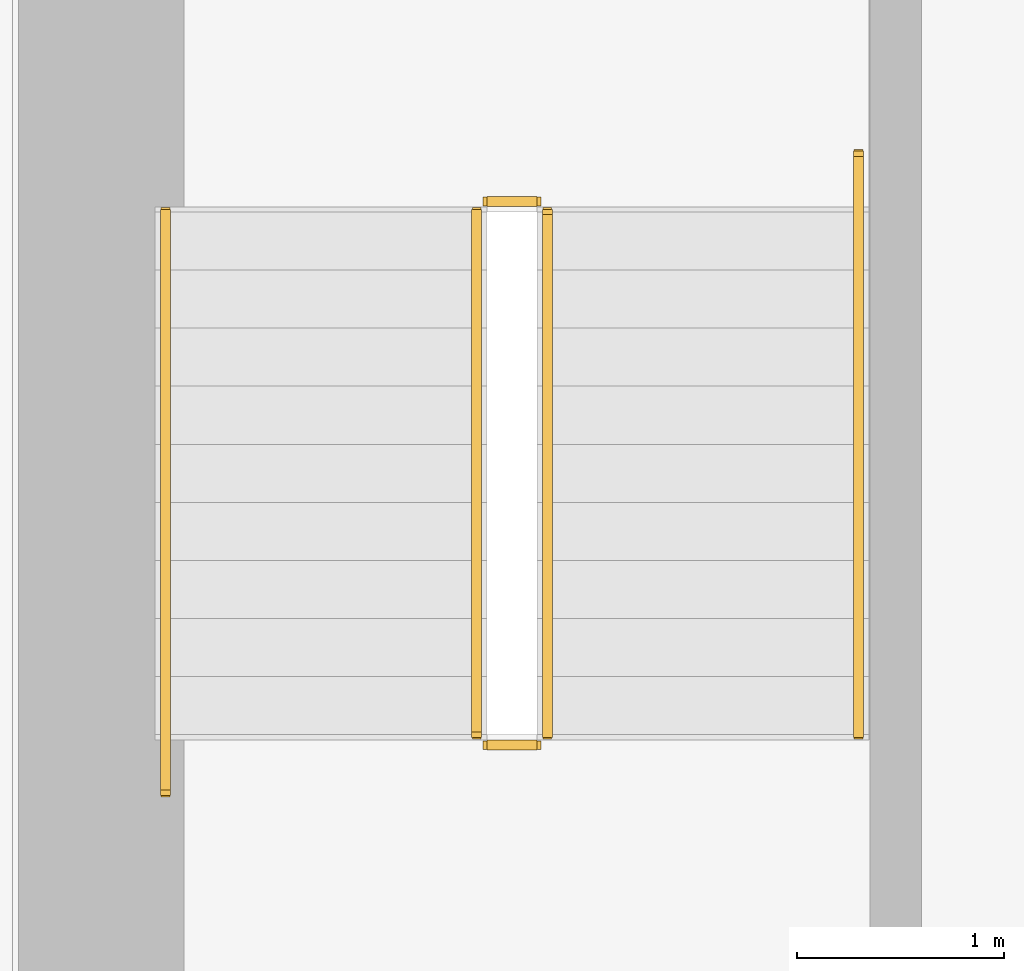
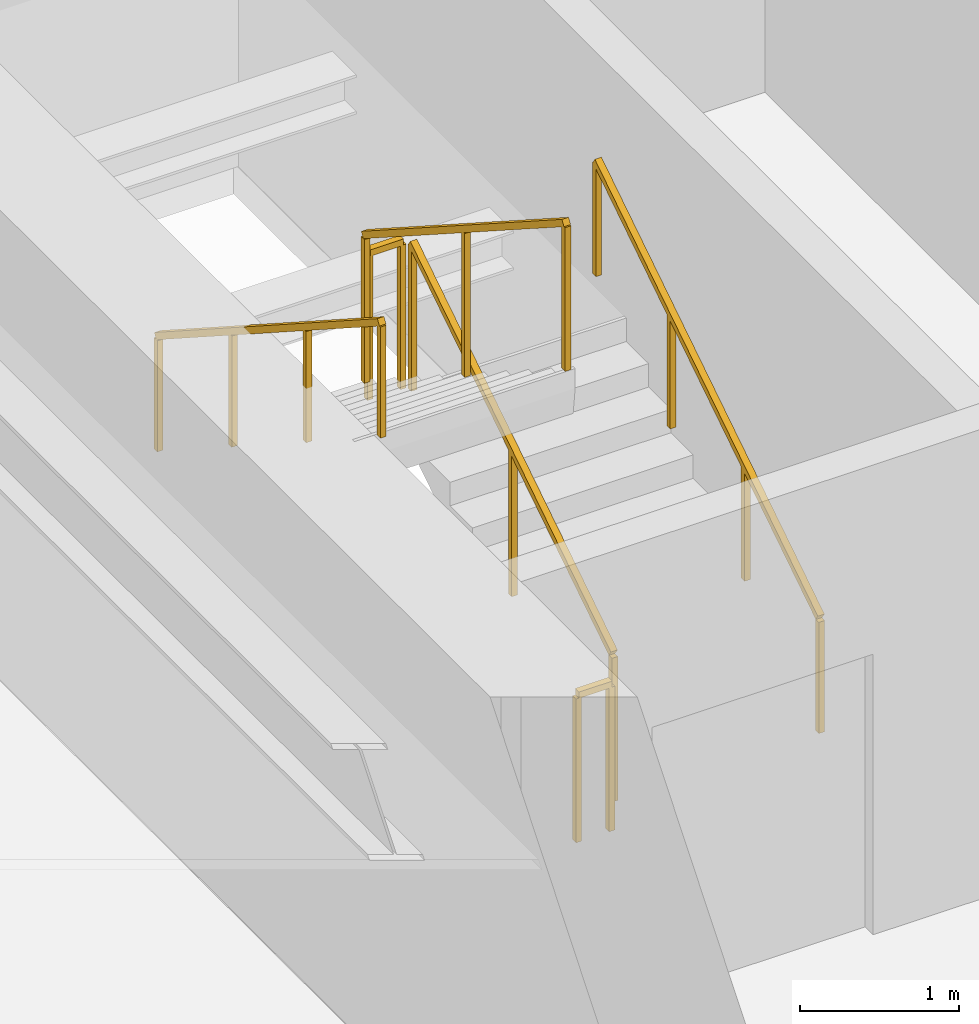
# One storey, part 29 of 32: 6 railings.
"""IFC4 building model written with IfcOpenShell, lengths in metres."""

from ifc_helpers import new_model, si_unit, direction, frame, origin, origin_2d, place, context, subcontext, project, spatial, rectangle, extrude, material, type_object, element, save


model = new_model("IFC4")

# Units and contexts
model_context = context("Model", 3, precision=1e-05, world=origin(), true_north=direction((0.0, 1.0)))
body_context = subcontext(model_context, "Body", "Model", "MODEL_VIEW")
ifc_project = project(units=[si_unit("LENGTHUNIT", "METRE"), si_unit("AREAUNIT", "SQUARE_METRE"), si_unit("VOLUMEUNIT", "CUBIC_METRE"), si_unit("PLANEANGLEUNIT", "RADIAN"), si_unit("MASSUNIT", "GRAM", prefix="KILO")], contexts=[model_context])

# Site, building, storey
site_placement = place(None, origin())
site = spatial("IfcSite", under=ifc_project, at=site_placement, CompositionType="ELEMENT")
building_placement = place(site_placement, origin())
building = spatial("IfcBuilding", under=site, at=building_placement, Name="Sumidabori Civic Tower", CompositionType="ELEMENT")
storey_placement = place(building_placement, frame((0.0, 0.0, 48.800048828125)))
storey = spatial("IfcBuildingStorey", under=building, at=storey_placement, Name="L12", CompositionType="ELEMENT", Elevation=48.800048828125)

# Railings
ifc_material_1 = material(Name="Stainless Steel Hairline Finish", Category="steel")
railing_type_1 = type_object("IfcRailingType", Name="RL-HANDRAIL", PredefinedType="HANDRAIL", material=ifc_material_1)
railing_1_placement = place(storey_placement, frame((-11.949951171875, 16.0, 0.179931640625)))
element("IfcRailing", 1, at=railing_1_placement, inside=storey, type_object=railing_type_1, Name="L12 ST-1 stair handrail 1", PredefinedType="HANDRAIL", context=body_context, shape_type="SweptSolid", body=[
    extrude(rectangle(XDim=0.048095703125, YDim=0.048095703125, at=origin_2d()), frame((0.0, 0.0, 0.8759765625), z_axis=(0.0, 0.840675598268, 0.541539046124), x_axis=(-1.0, 0.0, 0.0)), (0.0, 0.0, 1.0), 3.330810546875),
    extrude(rectangle(XDim=0.0419921875, YDim=0.0419921875, at=origin_2d()), origin(), (0.0, 0.0, 1.0), 0.851806640625),
    extrude(rectangle(XDim=0.0419921875, YDim=0.0419921875, at=origin_2d()), frame((0.0, 0.933349609375, 0.601318359375)), (0.0, 0.0, 1.0), 0.851806640625),
    extrude(rectangle(XDim=0.0419921875, YDim=0.0419921875, at=origin_2d()), frame((0.0, 1.86669921875, 1.202392578125)), (0.0, 0.0, 1.0), 0.851806640625),
    extrude(rectangle(XDim=0.0419921875, YDim=0.0419921875, at=origin_2d()), frame((0.0, 2.800048828125, 1.8037109375)), (0.0, 0.0, 1.0), 0.851806640625),
])
railing_2_placement = place(storey_placement, frame((-15.2900390625, 18.52001953125, 1.97998046875)))
element("IfcRailing", 2, at=railing_2_placement, inside=storey, type_object=railing_type_1, Name="L12 ST-1 stair handrail 2", PredefinedType="HANDRAIL", context=body_context, shape_type="SweptSolid", body=[
    extrude(rectangle(XDim=0.048095703125, YDim=0.048095703125, at=origin_2d()), frame((0.0, 0.0, 0.8759765625), z_axis=(0.0, -0.840675598268, 0.541539046124), x_axis=(1.0, 0.0, 0.0)), (0.0, 0.0, 1.0), 3.330810546875),
    extrude(rectangle(XDim=0.0419921875, YDim=0.0419921875, at=origin_2d()), origin(), (0.0, 0.0, 1.0), 0.851806640625),
    extrude(rectangle(XDim=0.0419921875, YDim=0.0419921875, at=origin_2d()), frame((0.0, -0.933349609375, 0.601318359375)), (0.0, 0.0, 1.0), 0.851806640625),
    extrude(rectangle(XDim=0.0419921875, YDim=0.0419921875, at=origin_2d()), frame((0.0, -1.86669921875, 1.202392578125)), (0.0, 0.0, 1.0), 0.851806640625),
    extrude(rectangle(XDim=0.0419921875, YDim=0.0419921875, at=origin_2d()), frame((0.0, -2.800048828125, 1.8037109375)), (0.0, 0.0, 1.0), 0.851806640625),
])
ifc_material_2 = material(Name="Steel SN490", Category="steel")
railing_type_2 = type_object("IfcRailingType", Name="RL-STAIR-GUARD", PredefinedType="GUARDRAIL", material=ifc_material_2)
railing_3_placement = place(storey_placement, frame((-13.449951171875, 16.0, 0.179931640625)))
element("IfcRailing", 3, at=railing_3_placement, inside=storey, type_object=railing_type_2, Name="L12 ST-1 stair guard 1", PredefinedType="GUARDRAIL", context=body_context, shape_type="SweptSolid", body=[
    extrude(rectangle(XDim=0.048095703125, YDim=0.048095703125, at=origin_2d()), frame((0.0, 0.0, 1.1259765625), z_axis=(0.0, 0.841162588446, 0.540782303519), x_axis=(-1.0, 0.0, 0.0)), (0.0, 0.0, 1.0), 2.995849609375),
    extrude(rectangle(XDim=0.0419921875, YDim=0.0419921875, at=origin_2d()), origin(), (0.0, 0.0, 1.0), 1.101806640625),
    extrude(rectangle(XDim=0.0419921875, YDim=0.0419921875, at=origin_2d()), frame((0.0, 1.260009765625, 0.81005859375)), (0.0, 0.0, 1.0), 1.101806640625),
    extrude(rectangle(XDim=0.0419921875, YDim=0.0419921875, at=origin_2d()), frame((0.0, 2.52001953125, 1.6201171875)), (0.0, 0.0, 1.0), 1.101806640625),
])
railing_4_placement = place(storey_placement, frame((-13.5, 18.570068359375, 1.800048828125)))
element("IfcRailing", 4, at=railing_4_placement, inside=storey, type_object=railing_type_2, Name="L12 ST-1 stair guard 2", PredefinedType="GUARDRAIL", context=body_context, shape_type="SweptSolid", body=[
    extrude(rectangle(XDim=0.048095703125, YDim=0.048095703125, at=origin_2d()), frame((0.0, 0.0, 1.1259765625), z_axis=(-1.0, 0.0, 0.0), x_axis=(0.0, -1.0, 0.0)), (0.0, 0.0, 1.0), 0.239990234375),
    extrude(rectangle(XDim=0.0419921875, YDim=0.0419921875, at=origin_2d()), origin(), (0.0, 0.0, 1.0), 1.101806640625),
    extrude(rectangle(XDim=0.0419921875, YDim=0.0419921875, at=origin_2d()), frame((-0.239990234375, 0.0, 0.0)), (0.0, 0.0, 1.0), 1.101806640625),
])
railing_5_placement = place(storey_placement, frame((-13.7900390625, 18.52001953125, 1.97998046875)))
element("IfcRailing", 5, at=railing_5_placement, inside=storey, type_object=railing_type_2, Name="L12 ST-1 stair guard 3", PredefinedType="GUARDRAIL", context=body_context, shape_type="SweptSolid", body=[
    extrude(rectangle(XDim=0.048095703125, YDim=0.048095703125, at=origin_2d()), frame((0.0, 0.0, 1.1259765625), z_axis=(0.0, -0.841199657755, 0.540724639528), x_axis=(1.0, 0.0, 0.0)), (0.0, 0.0, 1.0), 2.995849609375),
    extrude(rectangle(XDim=0.0419921875, YDim=0.0419921875, at=origin_2d()), origin(), (0.0, 0.0, 1.0), 1.101806640625),
    extrude(rectangle(XDim=0.0419921875, YDim=0.0419921875, at=origin_2d()), frame((0.0, -1.260009765625, 0.81005859375)), (0.0, 0.0, 1.0), 1.101806640625),
    extrude(rectangle(XDim=0.0419921875, YDim=0.0419921875, at=origin_2d()), frame((0.0, -2.52001953125, 1.619873046875)), (0.0, 0.0, 1.0), 1.101806640625),
])
railing_6_placement = place(storey_placement, frame((-13.5, 15.949951171875, 0.0)))
element("IfcRailing", 6, at=railing_6_placement, inside=storey, type_object=railing_type_2, Name="L12 ST-1 stair guard 4", PredefinedType="GUARDRAIL", context=body_context, shape_type="SweptSolid", body=[
    extrude(rectangle(XDim=0.048095703125, YDim=0.048095703125, at=origin_2d()), frame((0.0, 0.0, 1.1259765625), z_axis=(-1.0, 0.0, 0.0), x_axis=(0.0, -1.0, 0.0)), (0.0, 0.0, 1.0), 0.239990234375),
    extrude(rectangle(XDim=0.0419921875, YDim=0.0419921875, at=origin_2d()), origin(), (0.0, 0.0, 1.0), 1.101806640625),
    extrude(rectangle(XDim=0.0419921875, YDim=0.0419921875, at=origin_2d()), frame((-0.239990234375, 0.0, 0.0)), (0.0, 0.0, 1.0), 1.101806640625),
])

save(model, "model.ifc")
